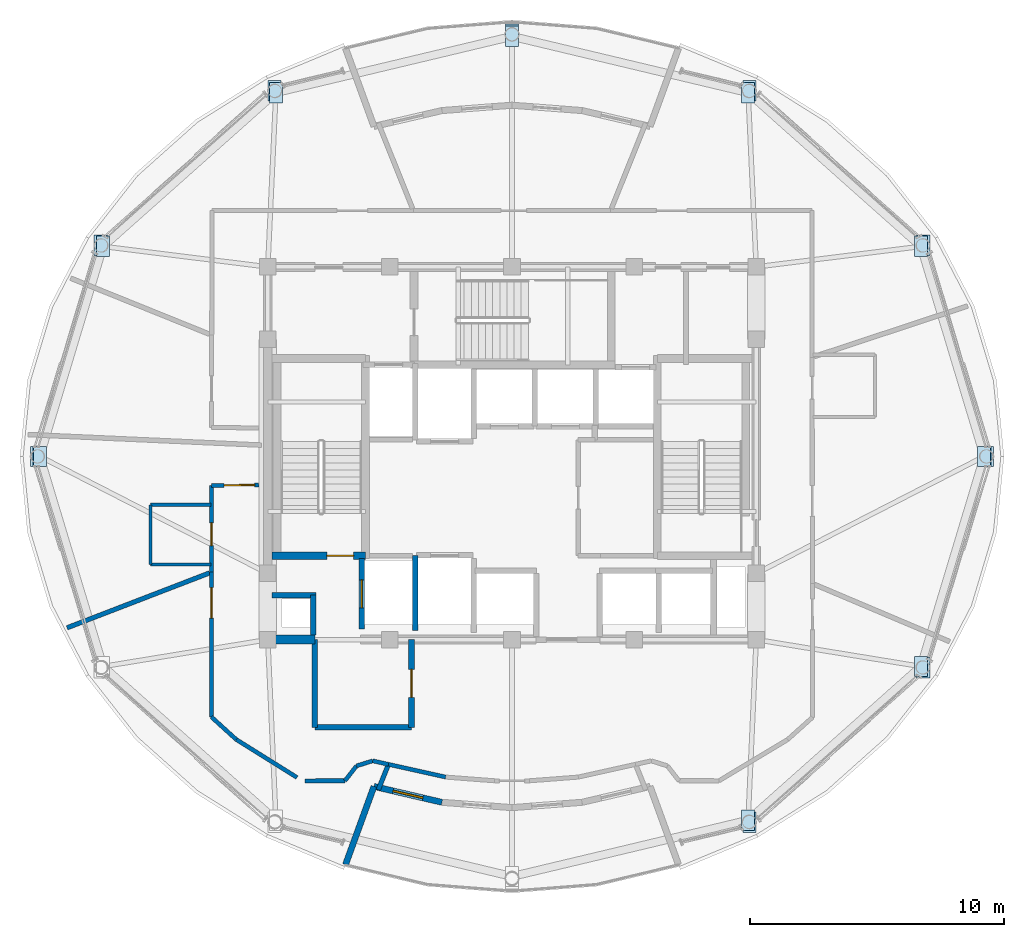
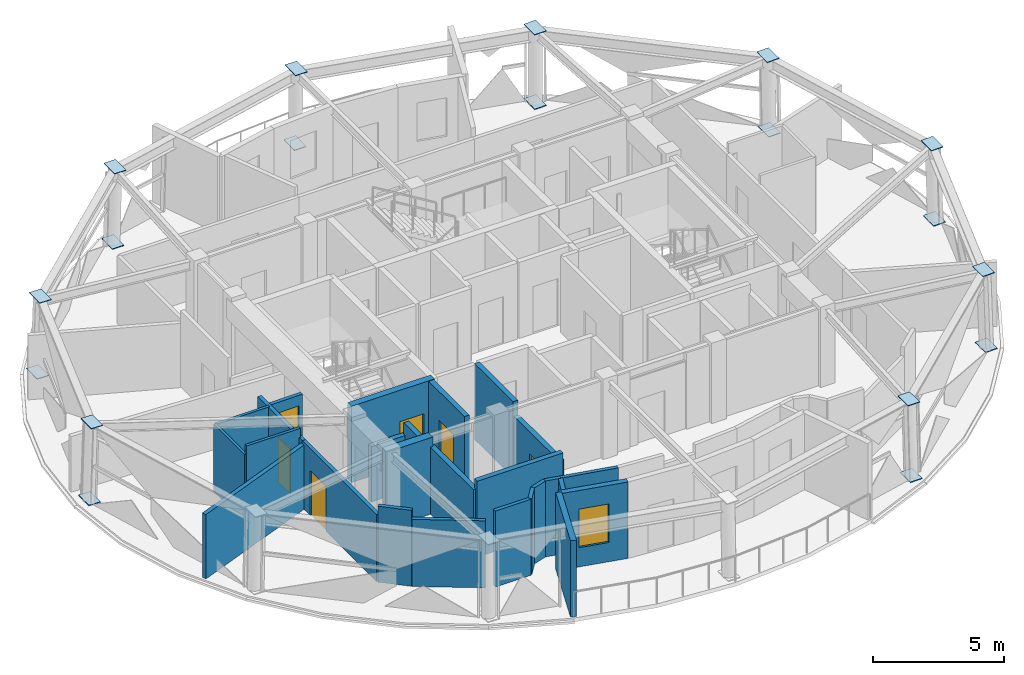
# One storey, part 6 of 13: 26 walls, 18 plates, 6 doors, 1 window, 7 openings.
"""IFC4 building model written with IfcOpenShell, lengths in metres."""

from ifc_helpers import new_model, si_unit, direction, frame, frame_2d, origin, place, context, subcontext, project, spatial, polyline, rectangle, outline, extrude, material, layer, layer_set, type_object, element, fill, save


model = new_model("IFC4")

# Units and contexts
model_context = context("Model", 3, precision=1e-05, world=origin(), true_north=direction((0.0, 1.0)))
body_context = subcontext(model_context, "Body", "Model", "MODEL_VIEW")
ifc_project = project(units=[si_unit("LENGTHUNIT", "METRE"), si_unit("AREAUNIT", "SQUARE_METRE"), si_unit("VOLUMEUNIT", "CUBIC_METRE"), si_unit("PLANEANGLEUNIT", "RADIAN"), si_unit("MASSUNIT", "GRAM", prefix="KILO")], contexts=[model_context])

# Site, building, storey
site_placement = place(None, origin())
site = spatial("IfcSite", under=ifc_project, at=site_placement, CompositionType="ELEMENT")
building_placement = place(site_placement, origin())
building = spatial("IfcBuilding", under=site, at=building_placement, Name="Vantalir Tower", CompositionType="ELEMENT")
storey_placement = place(building_placement, frame((0.0, 0.0, 286.35009765625)))
storey = spatial("IfcBuildingStorey", under=building, at=storey_placement, Name="L72", CompositionType="ELEMENT", Elevation=286.35009765625)

# Plates
ifc_material_1 = material(Name="Steel S460", Category="steel")
ifc_layer_1 = layer(ifc_material_1, 0.031982421875)
ifc_layer_set_1 = layer_set([ifc_layer_1], Name="Steel S460")
plate_type = type_object("IfcPlateType", Name="PLT-KN-Z3", PredefinedType="USERDEFINED", material=ifc_layer_set_1)
for number, where, z_axis, x_axis, name in (
    (1, (49.79931640625, 25.39990234375, 3.586181640625), (-0.029578410134, 0.0, 0.999562463108), (0.0, -1.0, 0.0), "L72 Ring Column Top Cap RC01"),
    (2, (49.903564453125, 25.39990234375, 0.045166015625), (-0.029578410134, 0.0, 0.999562463108), (0.0, -1.0, 0.0), "L72 Ring Column Base Cap RC01"),
):
    element("IfcPlate", number, at=place(storey_placement, frame(where, z_axis=z_axis, x_axis=x_axis)), inside=storey, type_object=plate_type, Name=name, ObjectType="FLANGE_PLATE", PredefinedType="USERDEFINED", context=body_context, shape_type="SweptSolid", body=[
        extrude(outline(polyline([(0.0, 0.0), (0.7998046875, 0.0), (0.7998046875, 0.5200029110827024), (0.0, 0.5200029110827024), (0.0, 0.0)])), origin(), (0.0, 0.0, -1.0), 0.031982421875),
    ])
for number, where, z_axis, x_axis, name in (
    (3, (47.3125, 33.65576171875, 3.592529296875), (-0.02535676287, -0.013118410706, 0.999592387865), (5.0749e-08, -0.9999138946, -0.013122628796), "L72 Ring Column Top Cap RC02"),
    (4, (47.40283203125, 33.702392578125, 0.051513671875), (-0.02535676287, -0.013118410706, 0.999592387865), (5.0749e-08, -0.9999138946, -0.013122628796), "L72 Ring Column Base Cap RC02"),
):
    element("IfcPlate", number, at=place(storey_placement, frame(where, z_axis=z_axis, x_axis=x_axis)), inside=storey, type_object=plate_type, Name=name, ObjectType="FLANGE_PLATE", PredefinedType="USERDEFINED", context=body_context, shape_type="SweptSolid", body=[
        extrude(outline(polyline([(0.0, 0.0), (0.8001177015725943, 5.421010862427522e-20), (0.7999447245439245, 0.519942529439475), (7.114257450402433e-05, 0.5199426106642452), (0.0, 0.0)])), origin(), (0.0, 0.0, -1.0), 0.031982421875),
    ])
plate_1_placement = place(storey_placement, frame((40.519775390625, 39.699462890625, 3.59912109375), z_axis=(-0.014800911728, -0.022732779207, 0.999632009172), x_axis=(2.257584e-06, -0.999741521109, -0.022735236208)))
element("IfcPlate", 5, at=plate_1_placement, inside=storey, type_object=plate_type, Name="L72 Ring Column Top Cap RC03", ObjectType="FLANGE_PLATE", PredefinedType="USERDEFINED", context=body_context, shape_type="SweptSolid", body=[
    extrude(outline(polyline([(0.0, 0.0), (0.800008698884935, 0.0), (0.8000818814033841, 0.5198305263465853), (6.763192367187785e-05, 0.5198341389289401), (0.0, 0.0)])), origin(), (0.0, 0.0, -1.0), 0.031982421875),
])
plate_2_placement = place(storey_placement, frame((40.572265625, 39.77978515625, 0.05810546875), z_axis=(-0.014793964464, -0.022732781545, 0.999632111959), x_axis=(2.256525e-06, -0.999741521108, -0.022735236239)))
element("IfcPlate", 6, at=plate_2_placement, inside=storey, type_object=plate_type, Name="L72 Ring Column Base Cap RC03", ObjectType="FLANGE_PLATE", PredefinedType="USERDEFINED", context=body_context, shape_type="SweptSolid", body=[
    extrude(outline(polyline([(0.0, 0.0), (0.800008698884933, 0.0), (0.800081881403386, 0.5200746410890107), (6.763192366805035e-05, 0.5200782519756888), (0.0, 0.0)])), origin(), (0.0, 0.0, -1.0), 0.031982421875),
])
for number, where, z_axis, x_axis, name in (
    (7, (31.239990234375, 41.9111328125, 3.6044921875), (0.0, -0.026555517126, 0.999647340071), (0.0, -0.999647340071, -0.026555517126), "L72 Ring Column Top Cap RC04"),
    (8, (31.239990234375, 42.00439453125, 0.0634765625), (0.0, -0.026555517126, 0.999647340071), (0.0, -0.999647340071, -0.026555517126), "L72 Ring Column Base Cap RC04"),
):
    element("IfcPlate", number, at=place(storey_placement, frame(where, z_axis=z_axis, x_axis=x_axis)), inside=storey, type_object=plate_type, Name=name, ObjectType="FLANGE_PLATE", PredefinedType="USERDEFINED", context=body_context, shape_type="SweptSolid", body=[
        extrude(outline(polyline([(0.0, 0.0), (0.7998426193166716, 0.0), (0.7998426193166716, 0.52001953125), (0.0, 0.52001953125), (0.0, 0.0)])), origin(), (0.0, 0.0, -1.0), 0.031982421875),
    ])
plate_3_placement = place(storey_placement, frame((21.96044921875, 39.69921875, 3.606689453125), z_axis=(0.014566175024, -0.022580366135, 0.999638911613), x_axis=(0.0, -0.999744976912, -0.022582761994)))
element("IfcPlate", 9, at=plate_3_placement, inside=storey, type_object=plate_type, Name="L72 Ring Column Top Cap RC05", ObjectType="FLANGE_PLATE", PredefinedType="USERDEFINED", context=body_context, shape_type="SweptSolid", body=[
    extrude(outline(polyline([(0.0, 0.0), (0.8000087081912063, 0.0), (0.7999355442861511, 0.5198305406713694), (-7.31639050551987e-05, 0.5198305406713695), (0.0, 0.0)])), origin(), (0.0, 0.0, -1.0), 0.031982421875),
])
plate_4_placement = place(storey_placement, frame((21.90869140625, 39.779541015625, 0.065673828125), z_axis=(0.014559337894, -0.022580368384, 0.999639011165), x_axis=(0.0, -0.999744976912, -0.022582761994)))
element("IfcPlate", 10, at=plate_4_placement, inside=storey, type_object=plate_type, Name="L72 Ring Column Base Cap RC05", ObjectType="FLANGE_PLATE", PredefinedType="USERDEFINED", context=body_context, shape_type="SweptSolid", body=[
    extrude(outline(polyline([(0.0, 0.0), (0.8000087081912063, 0.0), (0.7999355442861511, 0.520074655407074), (-7.31639050551987e-05, 0.520074655407074), (0.0, 0.0)])), origin(), (0.0, 0.0, -1.0), 0.031982421875),
])
for number, where, z_axis, x_axis, name in (
    (11, (15.167724609375, 33.655517578125, 3.605712890625), (0.02535676287, -0.013118410706, 0.999592387865), (5.0765e-08, -0.999913894566, -0.013122631371), "L72 Ring Column Top Cap RC06"),
    (12, (15.077392578125, 33.7021484375, 0.064697265625), (0.02535676287, -0.013118410706, 0.999592387865), (5.0765e-08, -0.999913894566, -0.013122631371), "L72 Ring Column Base Cap RC06"),
):
    element("IfcPlate", number, at=place(storey_placement, frame(where, z_axis=z_axis, x_axis=x_axis)), inside=storey, type_object=plate_type, Name=name, ObjectType="FLANGE_PLATE", PredefinedType="USERDEFINED", context=body_context, shape_type="SweptSolid", body=[
        extrude(outline(polyline([(0.0, 0.0), (0.7998735819694247, 5.421010862427522e-20), (0.8000466117967031, 0.5199425294219072), (-7.108977588695672e-05, 0.5199426106714667), (0.0, 0.0)])), origin(), (0.0, 0.0, -1.0), 0.031982421875),
    ])
for number, where, z_axis, x_axis, name in (
    (13, (12.680908203125, 25.39990234375, 3.6015625), (0.029578410134, 0.0, 0.999562463108), (0.0, -1.0, 0.0), "L72 Ring Column Top Cap RC07"),
    (14, (12.57666015625, 25.39990234375, 0.060546875), (0.029578410134, 0.0, 0.999562463108), (0.0, -1.0, 0.0), "L72 Ring Column Base Cap RC07"),
):
    element("IfcPlate", number, at=place(storey_placement, frame(where, z_axis=z_axis, x_axis=x_axis)), inside=storey, type_object=plate_type, Name=name, ObjectType="FLANGE_PLATE", PredefinedType="USERDEFINED", context=body_context, shape_type="SweptSolid", body=[
        extrude(outline(polyline([(0.0, 0.0), (0.7998046875, 0.0), (0.7998046875, 0.5200029110827024), (0.0, 0.5200029110827024), (0.0, 0.0)])), origin(), (0.0, 0.0, -1.0), 0.031982421875),
    ])
plate_5_placement = place(storey_placement, frame((40.519775390625, 11.100341796875, 3.5810546875), z_axis=(-0.014800911728, 0.022732779207, 0.999632009172), x_axis=(-2.257584e-06, -0.999741521109, 0.022735236208)))
element("IfcPlate", 15, at=plate_5_placement, inside=storey, type_object=plate_type, Name="L72 Ring Column Top Cap RC11", ObjectType="FLANGE_PLATE", PredefinedType="USERDEFINED", context=body_context, shape_type="SweptSolid", body=[
    extrude(outline(polyline([(0.0, 0.0), (0.800008698884935, 0.0), (0.7999410669612631, 0.5198341389289403), (-7.318251844919596e-05, 0.5198305263465853), (0.0, 0.0)])), origin(), (0.0, 0.0, -1.0), 0.031982421875),
])
plate_6_placement = place(storey_placement, frame((40.572265625, 11.02001953125, 0.0400390625), z_axis=(-0.014793964464, 0.022732781545, 0.999632111959), x_axis=(-2.256525e-06, -0.999741521108, 0.022735236239)))
element("IfcPlate", 16, at=plate_6_placement, inside=storey, type_object=plate_type, Name="L72 Ring Column Base Cap RC11", ObjectType="FLANGE_PLATE", PredefinedType="USERDEFINED", context=body_context, shape_type="SweptSolid", body=[
    extrude(outline(polyline([(0.0, 0.0), (0.800008698884933, 0.0), (0.799941066961265, 0.5200782519756888), (-7.318251845302376e-05, 0.5200746410890107), (0.0, 0.0)])), origin(), (0.0, 0.0, -1.0), 0.031982421875),
])
for number, where, z_axis, x_axis, name in (
    (17, (47.3125, 17.144287109375, 3.58203125), (-0.02535676287, 0.013118410706, 0.999592387865), (-5.0749e-08, -0.9999138946, 0.013122628796), "L72 Ring Column Top Cap RC12"),
    (18, (47.40283203125, 17.09765625, 0.041015625), (-0.02535676287, 0.013118410706, 0.999592387865), (-5.0749e-08, -0.9999138946, 0.013122628796), "L72 Ring Column Base Cap RC12"),
):
    element("IfcPlate", number, at=place(storey_placement, frame(where, z_axis=z_axis, x_axis=x_axis)), inside=storey, type_object=plate_type, Name=name, ObjectType="FLANGE_PLATE", PredefinedType="USERDEFINED", context=body_context, shape_type="SweptSolid", body=[
        extrude(outline(polyline([(0.0, 0.0), (0.8001177015725943, -5.421010862427522e-20), (0.8000465589980903, 0.5199426106642452), (0.00017297702866972357, 0.5199425294394752), (0.0, 0.0)])), origin(), (0.0, 0.0, -1.0), 0.031982421875),
    ])

# Walls
ifc_material_2 = material(Name="Moisture-resistant en-suite partition", Category="gypsum")
ifc_layer_2 = layer(ifc_material_2, 0.125)
ifc_layer_set_2 = layer_set([ifc_layer_2], Name="Moisture-resistant en-suite partition")
wall_type_1 = type_object("IfcWallType", Name="WL-BATH-125", PredefinedType="PARTITIONING", material=ifc_layer_set_2)
wall_1_placement = place(storey_placement, frame((17.284912109375, 20.75, 0.0), z_axis=(0.0, 0.0, 1.0), x_axis=(1.0, 0.0, 0.0)))
element("IfcWall", 19, at=wall_1_placement, inside=storey, type_object=wall_type_1, Name="L72 Unisex WC South Wall", PredefinedType="PARTITIONING", context=body_context, shape_type="SweptSolid", body=[
    extrude(rectangle(XDim=2.380126953125, YDim=0.125, at=frame_2d((1.18994140625, 0.0))), origin(), (0.0, 0.0, 1.0), 3.5498046875),
])
wall_2_placement = place(storey_placement, frame((17.284912109375, 23.10009765625, 0.0), z_axis=(0.0, 0.0, 1.0), x_axis=(1.0, 0.0, 0.0)))
element("IfcWall", 20, at=wall_2_placement, inside=storey, type_object=wall_type_1, Name="L72 Unisex WC North Wall", PredefinedType="PARTITIONING", context=body_context, shape_type="SweptSolid", body=[
    extrude(rectangle(XDim=2.380126953125, YDim=0.125, at=frame_2d((1.18994140625, 0.0))), origin(), (0.0, 0.0, 1.0), 3.1318359375),
])
wall_3_placement = place(storey_placement, frame((17.284912109375, 20.75, 0.0), z_axis=(0.0, 0.0, 1.0), x_axis=(0.0, 1.0, 0.0)))
element("IfcWall", 21, at=wall_3_placement, inside=storey, type_object=wall_type_1, Name="L72 Unisex WC West Wall", PredefinedType="PARTITIONING", context=body_context, shape_type="SweptSolid", body=[
    extrude(rectangle(XDim=2.35009765625, YDim=0.125, at=frame_2d((1.175048828125, 0.0))), origin(), (0.0, 0.0, 1.0), 3.1318359375),
])
ifc_material_3 = material(Name="Concrete C50/60", Category="concrete")
ifc_layer_3 = layer(ifc_material_3, 0.35009765625)
ifc_layer_set_3 = layer_set([ifc_layer_3], Name="Concrete C50/60")
wall_type_2 = type_object("IfcWallType", Name="WL-CORE-350", PredefinedType="SHEAR", material=ifc_layer_set_3)
wall_4_placement = place(storey_placement, frame((21.72509765625, 17.800048828125, 0.0), z_axis=(0.0, 0.0, 1.0), x_axis=(1.0, 0.0, 0.0)))
element("IfcWall", 22, at=wall_4_placement, inside=storey, type_object=wall_type_2, Name="L72 Core Shear Wall South-West", PredefinedType="SHEAR", context=body_context, shape_type="SweptSolid", body=[
    extrude(rectangle(XDim=2.02490234375, YDim=0.35009765625, at=frame_2d((1.012451171875, 0.0))), origin(), (0.0, 0.0, 1.0), 3.56982421875),
])
ifc_material_4 = material(Name="Fire-rated hotel corridor acoustic partition", Category="gypsum")
ifc_layer_4 = layer(ifc_material_4, 0.159912109375)
ifc_layer_set_4 = layer_set([ifc_layer_4], Name="Fire-rated hotel corridor acoustic partition")
wall_type_3 = type_object("IfcWallType", Name="WL-CORR-160", PredefinedType="PARTITIONING", material=ifc_layer_set_4)
wall_5_placement = place(storey_placement, frame((28.89404296875, 12.39599609375, 0.0), z_axis=(0.0, 0.0, 1.0), x_axis=(-0.976187060184, 0.216930457819, 0.0)))
element("IfcWall", 23, at=wall_5_placement, inside=storey, type_object=wall_type_3, Name="L72 Corridor Partition 20", PredefinedType="PARTITIONING", context=body_context, shape_type="SweptSolid", body=[
    extrude(rectangle(XDim=2.304931640625, YDim=0.159912109375, at=frame_2d((1.15234375, 0.0))), origin(), (0.0, 0.0, 1.0), 3.5498046875),
])
wall_6_placement = place(storey_placement, frame((26.64404296875, 12.89599609375, 0.0), z_axis=(0.0, 0.0, 1.0), x_axis=(-0.976141826299, 0.217133910181, 0.0)))
element("IfcWall", 24, at=wall_6_placement, inside=storey, type_object=wall_type_3, Name="L72 Corridor Partition 21", PredefinedType="PARTITIONING", context=body_context, shape_type="SweptSolid", body=[
    extrude(rectangle(XDim=0.63525390625, YDim=0.159912109375, at=frame_2d((0.317626953125, 0.0))), origin(), (0.0, 0.0, 1.0), 3.5498046875),
])
wall_7_placement = place(storey_placement, frame((26.02392578125, 13.033935546875, 0.0), z_axis=(0.0, 0.0, 1.0), x_axis=(-0.954119736228, -0.299425331161, 0.0)))
element("IfcWall", 25, at=wall_7_placement, inside=storey, type_object=wall_type_3, Name="L72 Corridor Partition 22", PredefinedType="PARTITIONING", context=body_context, shape_type="SweptSolid", body=[
    extrude(rectangle(XDim=0.66455078125, YDim=0.159912109375, at=frame_2d((0.332275390625, 0.0))), origin(), (0.0, 0.0, 1.0), 3.5498046875),
])
wall_8_placement = place(storey_placement, frame((25.389892578125, 12.8349609375, 0.0), z_axis=(0.0, 0.0, 1.0), x_axis=(-0.61712396093, -0.786865945919, 0.0)))
element("IfcWall", 26, at=wall_8_placement, inside=storey, type_object=wall_type_3, Name="L72 Corridor Partition 23", PredefinedType="PARTITIONING", context=body_context, shape_type="SweptSolid", body=[
    extrude(rectangle(XDim=0.7421875, YDim=0.159912109375, at=frame_2d((0.37109375, 0.0))), origin(), (0.0, 0.0, 1.0), 3.5498046875),
])
wall_9_placement = place(storey_placement, frame((24.931884765625, 12.2509765625, 0.0), z_axis=(0.0, 0.0, 1.0), x_axis=(-0.999999806023, -0.000622858802, 0.0)))
element("IfcWall", 27, at=wall_9_placement, inside=storey, type_object=wall_type_3, Name="L72 Corridor Partition 24", PredefinedType="PARTITIONING", context=body_context, shape_type="SweptSolid", body=[
    extrude(rectangle(XDim=1.56787109375, YDim=0.159912109375, at=frame_2d((0.783935546875, 0.0))), origin(), (0.0, 0.0, 1.0), 3.5498046875),
])
wall_10_placement = place(storey_placement, frame((23.048095703125, 12.3798828125, 0.0), z_axis=(0.0, 0.0, 1.0), x_axis=(-0.84781314918, 0.530295072651, 0.0)))
element("IfcWall", 28, at=wall_10_placement, inside=storey, type_object=wall_type_3, Name="L72 Corridor Partition 25", PredefinedType="PARTITIONING", context=body_context, shape_type="SweptSolid", body=[
    extrude(rectangle(XDim=2.815673828125, YDim=0.159912109375, at=frame_2d((1.40771484375, 0.0))), origin(), (0.0, 0.0, 1.0), 3.1318359375),
])
wall_11_placement = place(storey_placement, frame((20.660888671875, 13.873046875, 0.0), z_axis=(0.0, 0.0, 1.0), x_axis=(-0.740736192003, 0.671796021019, 0.0)))
element("IfcWall", 29, at=wall_11_placement, inside=storey, type_object=wall_type_3, Name="L72 Corridor Partition 26", PredefinedType="PARTITIONING", context=body_context, shape_type="SweptSolid", body=[
    extrude(rectangle(XDim=1.3173828125, YDim=0.159912109375, at=frame_2d((0.65869140625, 0.0))), origin(), (0.0, 0.0, 1.0), 3.5498046875),
])

# Wall, opening, door
wall_12_placement = place(storey_placement, frame((19.68505859375, 14.758056640625, 0.0), z_axis=(0.0, 0.0, 1.0), x_axis=(0.000171570728, 0.999999985282, 0.0)))
wall_12 = element("IfcWall", 30, at=wall_12_placement, inside=storey, type_object=wall_type_3, Name="L72 Corridor Partition 27", PredefinedType="PARTITIONING", context=body_context, shape_type="SweptSolid", body=[
    extrude(rectangle(XDim=5.69189453125, YDim=0.159912109375, at=frame_2d((2.845947265625, 0.0))), origin(), (0.0, 0.0, 1.0), 3.1318359375),
])
opening_1_placement = place(wall_12_placement, frame((3.885009765625, 0.0, 0.0)))
opening_1 = element("IfcOpeningElement", 31, at=opening_1_placement, cuts=wall_12, Name="Opening D-STE", PredefinedType="OPENING", context=body_context, shape_type="SweptSolid", body=[
    extrude(rectangle(XDim=1.199951171875, YDim=2.10009765625, at=frame_2d((0.60009765625, 1.050048828125))), frame((0.0, 0.08984375, 0.0), z_axis=(0.0, -1.0, 0.0), x_axis=(1.0, 0.0, 0.0)), (0.0, 0.0, 1.0), 0.179931640625),
])
ifc_material_5 = material(Name="Solid-core teak veneer suite entrance door", Category="wood")
door_type_1 = type_object("IfcDoorType", Name="DR-SUITE-ENTRY-1200", OperationType="NOTDEFINED", PredefinedType="DOOR", material=ifc_material_5)
door_1_placement = place(opening_1_placement, origin())
door_1 = element("IfcDoor", 32, at=door_1_placement, inside=storey, type_object=door_type_1, Name="L72 Club Reading Lounge 06 Door", OperationType="SINGLE_SWING_LEFT", OverallHeight=2.10009765625, OverallWidth=1.199951171875, PredefinedType="DOOR", context=body_context, shape_type="SweptSolid", body=[
    extrude(rectangle(XDim=1.199951171875, YDim=2.10009765625, at=frame_2d((0.60009765625, 1.050048828125))), frame((0.0, 0.02490234375, 0.0), z_axis=(0.0, -1.0, 0.0), x_axis=(1.0, 0.0, 0.0)), (0.0, 0.0, 1.0), 0.050048828125),
])
fill(opening_1, door_1)

wall_13_placement = place(storey_placement, frame((19.68603515625, 20.449951171875, 0.0), z_axis=(0.0, 0.0, 1.0), x_axis=(0.0, 1.0, 0.0)))
wall_13 = element("IfcWall", 33, at=wall_13_placement, inside=storey, type_object=wall_type_3, Name="L72 Corridor Partition 28", PredefinedType="PARTITIONING", context=body_context, shape_type="SweptSolid", body=[
    extrude(rectangle(XDim=3.407958984375, YDim=0.159912109375, at=frame_2d((1.7041015625, 0.0))), origin(), (0.0, 0.0, 1.0), 3.1318359375),
])
opening_2_placement = place(wall_13_placement, frame((1.04296875, 0.0, 0.0)))
opening_2 = element("IfcOpeningElement", 34, at=opening_2_placement, cuts=wall_13, Name="Opening D-WC", PredefinedType="OPENING", context=body_context, shape_type="SweptSolid", body=[
    extrude(rectangle(XDim=0.89990234375, YDim=2.10009765625, at=frame_2d((0.449951171875, 1.050048828125))), frame((0.0, 0.08984375, 0.0), z_axis=(0.0, -1.0, 0.0), x_axis=(1.0, 0.0, 0.0)), (0.0, 0.0, 1.0), 0.179931640625),
])
ifc_material_6 = material(Name="Moisture-resistant hardwood door", Category="wood")
door_type_2 = type_object("IfcDoorType", Name="DR-ENSUITE-900", OperationType="NOTDEFINED", PredefinedType="DOOR", material=ifc_material_6)
door_2_placement = place(opening_2_placement, origin())
door_2 = element("IfcDoor", 35, at=door_2_placement, inside=storey, type_object=door_type_2, Name="L72 Unisex WC Door", OperationType="SINGLE_SWING_LEFT", OverallHeight=2.10009765625, OverallWidth=0.89990234375, PredefinedType="DOOR", context=body_context, shape_type="SweptSolid", body=[
    extrude(rectangle(XDim=0.89990234375, YDim=2.10009765625, at=frame_2d((0.449951171875, 1.050048828125))), frame((0.0, 0.02490234375, 0.0), z_axis=(0.0, -1.0, 0.0), x_axis=(1.0, 0.0, 0.0)), (0.0, 0.0, 1.0), 0.050048828125),
])
fill(opening_2, door_2)

wall_14_placement = place(storey_placement, frame((19.68603515625, 23.85791015625, 0.0), z_axis=(0.0, 0.0, 1.0), x_axis=(0.999915479981, 0.013001265106, 0.0)))
wall_14 = element("IfcWall", 36, at=wall_14_placement, inside=storey, type_object=wall_type_3, Name="L72 Corridor Partition 29", PredefinedType="PARTITIONING", context=body_context, shape_type="SweptSolid", body=[
    extrude(rectangle(XDim=1.859130859375, YDim=0.159912109375, at=frame_2d((0.9296875, 0.0))), origin(), (0.0, 0.0, 1.0), 2.594970703125),
])
opening_3_placement = place(wall_14_placement, frame((0.4990234375, 0.0, 0.0)))
opening_3 = element("IfcOpeningElement", 37, at=opening_3_placement, cuts=wall_14, Name="Opening D-STE", PredefinedType="OPENING", context=body_context, shape_type="SweptSolid", body=[
    extrude(rectangle(XDim=1.199951171875, YDim=2.10009765625, at=frame_2d((0.60009765625, 1.050048828125))), frame((0.0, 0.08984375, 0.0), z_axis=(0.0, -1.0, 0.0), x_axis=(1.0, 0.0, 0.0)), (0.0, 0.0, 1.0), 0.179931640625),
])
door_3_placement = place(opening_3_placement, origin())
door_3 = element("IfcDoor", 38, at=door_3_placement, inside=storey, type_object=door_type_1, Name="L72 Club Reading Lounge 05 Door", OperationType="SINGLE_SWING_RIGHT", OverallHeight=2.10009765625, OverallWidth=1.199951171875, PredefinedType="DOOR", context=body_context, shape_type="SweptSolid", body=[
    extrude(rectangle(XDim=1.199951171875, YDim=2.10009765625, at=frame_2d((0.60009765625, 1.050048828125))), frame((0.0, 0.02490234375, 0.0), z_axis=(0.0, -1.0, 0.0), x_axis=(1.0, 0.0, 0.0)), (0.0, 0.0, 1.0), 0.050048828125),
])
fill(opening_3, door_3)

# Wall
ifc_material_7 = material(Name="Precast concrete C40/50 insulated sky-garden wall", Category="concrete")
ifc_layer_5 = layer(ifc_material_7, 0.239990234375)
ifc_layer_set_5 = layer_set([ifc_layer_5], Name="Precast concrete C40/50 insulated sky-garden wall")
wall_type_4 = type_object("IfcWallType", Name="WL-EXT-SG-240", PredefinedType="SOLIDWALL", material=ifc_layer_set_5)
wall_15_placement = place(storey_placement, frame((24.955078125, 8.9541015625, 0.0), z_axis=(0.0, 0.0, 1.0), x_axis=(0.342132643751, 0.939651666353, 0.0)))
element("IfcWall", 39, at=wall_15_placement, inside=storey, type_object=wall_type_4, Name="L72 Wind Portal Return SA", PredefinedType="SOLIDWALL", context=body_context, shape_type="SweptSolid", body=[
    extrude(rectangle(XDim=3.270263671875, YDim=0.239990234375, at=frame_2d((1.63525390625, 0.0))), origin(), (0.0, 0.0, 1.0), 3.56982421875),
])

# Wall, opening, window
wall_16_placement = place(storey_placement, frame((26.073974609375, 12.027099609375, 0.0), z_axis=(0.0, 0.0, 1.0), x_axis=(0.973858933753, -0.227153642166, 0.0)))
wall_16 = element("IfcWall", 40, at=wall_16_placement, inside=storey, type_object=wall_type_4, Name="L72 Wind Portal Lounge Wall S1", PredefinedType="SOLIDWALL", context=body_context, shape_type="SweptSolid", body=[
    extrude(rectangle(XDim=2.742919921875, YDim=0.239990234375, at=frame_2d((1.37158203125, 0.0))), origin(), (0.0, 0.0, 1.0), 3.56982421875),
])
opening_4_placement = place(wall_16_placement, frame((0.77099609375, 0.0, 0.89990234375)))
opening_4 = element("IfcOpeningElement", 41, at=opening_4_placement, cuts=wall_16, Name="Opening WN-4", PredefinedType="OPENING", context=body_context, shape_type="SweptSolid", body=[
    extrude(rectangle(XDim=1.199951171875, YDim=1.800048828125, at=frame_2d((0.60009765625, 0.89990234375))), frame((0.0, 0.1298828125, 0.0), z_axis=(0.0, -1.0, 0.0), x_axis=(1.0, 0.0, 0.0)), (0.0, 0.0, 1.0), 0.260009765625),
])
ifc_material_8 = material(Name="Operable smoke-vent Low-E window", Category="glass")
window_type = type_object("IfcWindowType", Name="WIN-SG-1200x1800", PartitioningType="SINGLE_PANEL", PredefinedType="WINDOW", material=ifc_material_8)
window_placement = place(opening_4_placement, origin())
window = element("IfcWindow", 42, at=window_placement, inside=storey, type_object=window_type, Name="L72 Wind Portal Viewing Window S1", OverallHeight=1.800048828125, OverallWidth=1.199951171875, PartitioningType="SINGLE_PANEL", PredefinedType="WINDOW", context=body_context, shape_type="SweptSolid", body=[
    extrude(rectangle(XDim=1.199951171875, YDim=1.800048828125, at=frame_2d((0.60009765625, 0.89990234375))), frame((0.0, 0.030029296875, 0.0), z_axis=(0.0, -1.0, 0.0), x_axis=(1.0, 0.0, 0.0)), (0.0, 0.0, 1.0), 0.06005859375),
])
fill(opening_4, window)

# Walls
ifc_material_9 = material(Name="Concrete blockwork with fireboard lining", Category="masonry")
ifc_layer_6 = layer(ifc_material_9, 0.219970703125)
ifc_layer_set_6 = layer_set([ifc_layer_6], Name="Concrete blockwork with fireboard lining")
wall_type_5 = type_object("IfcWallType", Name="WL-FFL-220", PredefinedType="PARTITIONING", material=ifc_layer_set_6)
wall_17_placement = place(storey_placement, frame((23.679931640625, 17.97509765625, 0.0), z_axis=(0.0, 0.0, 1.0), x_axis=(0.0, 1.0, 0.0)))
element("IfcWall", 43, at=wall_17_placement, inside=storey, type_object=wall_type_5, Name="L72 West MEP Riser Wall E", PredefinedType="PARTITIONING", context=body_context, shape_type="SweptSolid", body=[
    extrude(rectangle(XDim=1.574951171875, YDim=0.219970703125, at=frame_2d((0.78759765625, 0.0))), origin(), (0.0, 0.0, 1.0), 3.1318359375),
])
wall_18_placement = place(storey_placement, frame((22.074951171875, 19.550048828125, 0.0), z_axis=(0.0, 0.0, 1.0), x_axis=(1.0, 0.0, 0.0)))
element("IfcWall", 44, at=wall_18_placement, inside=storey, type_object=wall_type_5, Name="L72 West MEP Riser Wall N", PredefinedType="PARTITIONING", context=body_context, shape_type="SweptSolid", body=[
    extrude(rectangle(XDim=1.715087890625, YDim=0.219970703125, at=frame_2d((0.857421875, 0.0))), origin(), (0.0, 0.0, 1.0), 2.594970703125),
])

# Wall, opening, door
wall_19_placement = place(storey_placement, frame((25.590087890625, 18.219970703125, 0.0), z_axis=(0.0, 0.0, 1.0), x_axis=(0.0, 1.0, 0.0)))
wall_19 = element("IfcWall", 45, at=wall_19_placement, inside=storey, type_object=wall_type_5, Name="L72 Lift FL1 Shaft Front Wall", PredefinedType="PARTITIONING", context=body_context, shape_type="SweptSolid", body=[
    extrude(rectangle(XDim=2.760009765625, YDim=0.219970703125, at=frame_2d((1.3798828125, 0.0))), origin(), (0.0, 0.0, 1.0), 3.5498046875),
])
opening_5_placement = place(wall_19_placement, frame((0.830078125, 0.0, 0.0)))
opening_5 = element("IfcOpeningElement", 46, at=opening_5_placement, cuts=wall_19, Name="Opening LD-FL1", PredefinedType="OPENING", context=body_context, shape_type="SweptSolid", body=[
    extrude(rectangle(XDim=1.10009765625, YDim=2.199951171875, at=frame_2d((0.550048828125, 1.10009765625))), frame((0.0, 0.119873046875, 0.0), z_axis=(0.0, -1.0, 0.0), x_axis=(1.0, 0.0, 0.0)), (0.0, 0.0, 1.0), 0.239990234375),
])
ifc_material_10 = material(Name="Brushed stainless-steel sliding lift landing door", Category="steel")
door_type_3 = type_object("IfcDoorType", Name="DR-LIFT-LANDING-1100", OperationType="DOUBLE_DOOR_SLIDING", PredefinedType="DOOR", material=ifc_material_10)
door_4_placement = place(opening_5_placement, origin())
door_4 = element("IfcDoor", 47, at=door_4_placement, inside=storey, type_object=door_type_3, Name="L72 Lift Landing Door FL1", OperationType="DOUBLE_DOOR_SLIDING", OverallHeight=2.199951171875, OverallWidth=1.10009765625, PredefinedType="DOOR", context=body_context, shape_type="SweptSolid", body=[
    extrude(rectangle(XDim=1.10009765625, YDim=2.199951171875, at=frame_2d((0.550048828125, 1.10009765625))), frame((0.0, 0.02490234375, 0.0), z_axis=(0.0, -1.0, 0.0), x_axis=(1.0, 0.0, 0.0)), (0.0, 0.0, 1.0), 0.050048828125),
])
fill(opening_5, door_4)

# Walls
wall_20_placement = place(storey_placement, frame((27.699951171875, 18.14990234375, 0.0), z_axis=(0.0, 0.0, 1.0), x_axis=(0.0, 1.0, 0.0)))
element("IfcWall", 48, at=wall_20_placement, inside=storey, type_object=wall_type_5, Name="L72 Fire Lift FL1 Dividing Wall", PredefinedType="PARTITIONING", context=body_context, shape_type="SweptSolid", body=[
    extrude(rectangle(XDim=2.9501953125, YDim=0.219970703125, at=frame_2d((1.47509765625, 0.0))), origin(), (0.0, 0.0, 1.0), 3.5498046875),
])
wall_21_placement = place(storey_placement, frame((23.75, 14.35009765625, 0.0), z_axis=(0.0, 0.0, 1.0), x_axis=(0.0, 1.0, 0.0)))
element("IfcWall", 49, at=wall_21_placement, inside=storey, type_object=wall_type_5, Name="L72 Firefighting Lobby West Outer W", PredefinedType="PARTITIONING", context=body_context, shape_type="SweptSolid", body=[
    extrude(rectangle(XDim=3.449951171875, YDim=0.219970703125, at=frame_2d((1.72509765625, 0.0))), origin(), (0.0, 0.0, 1.0), 3.1318359375),
])
wall_22_placement = place(storey_placement, frame((23.75, 14.35009765625, 0.0), z_axis=(0.0, 0.0, 1.0), x_axis=(1.0, 0.0, 0.0)))
element("IfcWall", 50, at=wall_22_placement, inside=storey, type_object=wall_type_5, Name="L72 Firefighting Lobby West South Wall", PredefinedType="PARTITIONING", context=body_context, shape_type="SweptSolid", body=[
    extrude(rectangle(XDim=3.800048828125, YDim=0.219970703125, at=frame_2d((1.89990234375, 0.0))), origin(), (0.0, 0.0, 1.0), 3.5498046875),
])

# Wall, opening, door
wall_23_placement = place(storey_placement, frame((27.550048828125, 14.35009765625, 0.0), z_axis=(0.0, 0.0, 1.0), x_axis=(0.0, 1.0, 0.0)))
wall_23 = element("IfcWall", 51, at=wall_23_placement, inside=storey, type_object=wall_type_5, Name="L72 Firefighting Lobby West East Wall", PredefinedType="PARTITIONING", context=body_context, shape_type="SweptSolid", body=[
    extrude(rectangle(XDim=3.449951171875, YDim=0.219970703125, at=frame_2d((1.72509765625, 0.0))), origin(), (0.0, 0.0, 1.0), 3.1318359375),
])
opening_6_placement = place(wall_23_placement, frame((1.175048828125, 0.0, 0.0)))
opening_6 = element("IfcOpeningElement", 52, at=opening_6_placement, cuts=wall_23, Name="Opening D-FFL", PredefinedType="OPENING", context=body_context, shape_type="SweptSolid", body=[
    extrude(rectangle(XDim=1.10009765625, YDim=2.10009765625, at=frame_2d((0.550048828125, 1.050048828125))), frame((0.0, 0.119873046875, 0.0), z_axis=(0.0, -1.0, 0.0), x_axis=(1.0, 0.0, 0.0)), (0.0, 0.0, 1.0), 0.239990234375),
])
ifc_material_11 = material(Name="Fire-rated acoustic steel door", Category="steel")
door_type_4 = type_object("IfcDoorType", Name="DR-FIRE-LOBBY-1100", OperationType="NOTDEFINED", PredefinedType="DOOR", material=ifc_material_11)
door_5_placement = place(opening_6_placement, origin())
door_5 = element("IfcDoor", 53, at=door_5_placement, inside=storey, type_object=door_type_4, Name="L72 Firefighting Lobby West Access Door", OperationType="SINGLE_SWING_LEFT", OverallHeight=2.10009765625, OverallWidth=1.10009765625, PredefinedType="DOOR", context=body_context, shape_type="SweptSolid", body=[
    extrude(rectangle(XDim=1.10009765625, YDim=2.10009765625, at=frame_2d((0.550048828125, 1.050048828125))), frame((0.0, 0.02490234375, 0.0), z_axis=(0.0, -1.0, 0.0), x_axis=(1.0, 0.0, 0.0)), (0.0, 0.0, 1.0), 0.050048828125),
])
fill(opening_6, door_5)

# Walls
ifc_material_12 = material(Name="Twin-stud acoustic fire-rated gypsum partition", Category="gypsum")
ifc_layer_7 = layer(ifc_material_12, 0.179931640625)
ifc_layer_set_7 = layer_set([ifc_layer_7], Name="Twin-stud acoustic fire-rated gypsum partition")
wall_type_6 = type_object("IfcWallType", Name="WL-GUEST-180", PredefinedType="PARTITIONING", material=ifc_layer_set_7)
wall_24_placement = place(storey_placement, frame((19.610107421875, 20.4208984375, 0.0), z_axis=(0.0, 0.0, 1.0), x_axis=(-0.933172492835, -0.359428850562, 0.0)))
element("IfcWall", 54, at=wall_24_placement, inside=storey, type_object=wall_type_6, Name="L72 Radial Suite Partition 06", PredefinedType="PARTITIONING", context=body_context, shape_type="SweptSolid", body=[
    extrude(rectangle(XDim=6.001220703125, YDim=0.179931640625, at=frame_2d((3.00048828125, 0.0))), origin(), (0.0, 0.0, 1.0), 3.0029296875),
])
wall_25_placement = place(storey_placement, frame((26.625, 12.847900390625, 0.0), z_axis=(0.0, 0.0, 1.0), x_axis=(-0.372169571943, -0.928164753543, 0.0)))
element("IfcWall", 55, at=wall_25_placement, inside=storey, type_object=wall_type_6, Name="L72 Radial Suite Partition 07", PredefinedType="PARTITIONING", context=body_context, shape_type="SweptSolid", body=[
    extrude(rectangle(XDim=1.026611328125, YDim=0.179931640625, at=frame_2d((0.51318359375, 0.0))), origin(), (0.0, 0.0, 1.0), 3.5498046875),
])

# Wall, opening, door
ifc_layer_8 = layer(ifc_material_3, 0.300048828125)
ifc_layer_set_8 = layer_set([ifc_layer_8], Name="Concrete C50/60")
wall_type_7 = type_object("IfcWallType", Name="WL-STAIR-300", PredefinedType="SHEAR", material=ifc_layer_set_8)
wall_26_placement = place(storey_placement, frame((22.074951171875, 21.10009765625, 0.0), z_axis=(0.0, 0.0, 1.0), x_axis=(1.0, 0.0, 0.0)))
wall_26 = element("IfcWall", 56, at=wall_26_placement, inside=storey, type_object=wall_type_7, Name="L72 Stair ST1 South Wall", PredefinedType="SHEAR", context=body_context, shape_type="SweptSolid", body=[
    extrude(rectangle(XDim=3.6650390625, YDim=0.300048828125, at=frame_2d((1.83251953125, 0.0))), origin(), (0.0, 0.0, 1.0), 3.56982421875),
])
opening_7_placement = place(wall_26_placement, frame((2.14501953125, 0.0, 0.0)))
opening_7 = element("IfcOpeningElement", 57, at=opening_7_placement, cuts=wall_26, Name="Opening D-ST", PredefinedType="OPENING", context=body_context, shape_type="SweptSolid", body=[
    extrude(rectangle(XDim=1.050048828125, YDim=2.10009765625, at=frame_2d((0.52490234375, 1.050048828125))), frame((0.0, 0.159912109375, 0.0), z_axis=(0.0, -1.0, 0.0), x_axis=(1.0, 0.0, 0.0)), (0.0, 0.0, 1.0), 0.320068359375),
])
ifc_material_13 = material(Name="Fire-rated steel door leaf", Category="steel")
door_type_5 = type_object("IfcDoorType", Name="DR-FIRE-STAIR-1050", OperationType="NOTDEFINED", PredefinedType="DOOR", material=ifc_material_13)
door_6_placement = place(opening_7_placement, origin())
door_6 = element("IfcDoor", 58, at=door_6_placement, inside=storey, type_object=door_type_5, Name="L72 Exit Stair ST1 Fire Door", OperationType="SINGLE_SWING_LEFT", OverallHeight=2.10009765625, OverallWidth=1.050048828125, PredefinedType="DOOR", context=body_context, shape_type="SweptSolid", body=[
    extrude(rectangle(XDim=1.050048828125, YDim=2.10009765625, at=frame_2d((0.52490234375, 1.050048828125))), frame((0.0, 0.02490234375, 0.0), z_axis=(0.0, -1.0, 0.0), x_axis=(1.0, 0.0, 0.0)), (0.0, 0.0, 1.0), 0.050048828125),
])
fill(opening_7, door_6)

save(model, "model.ifc")
